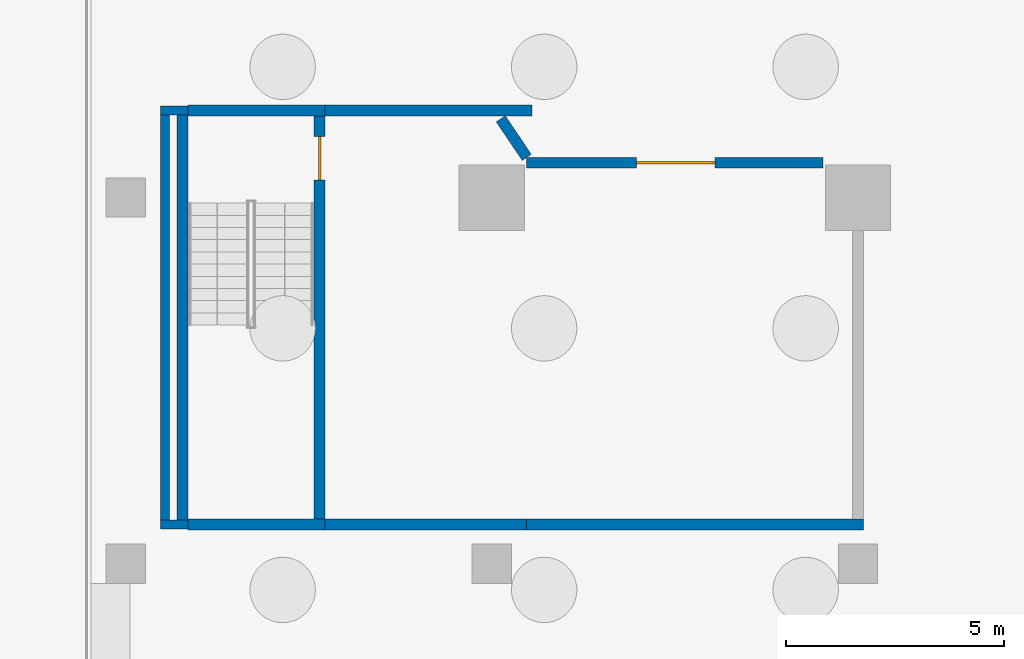
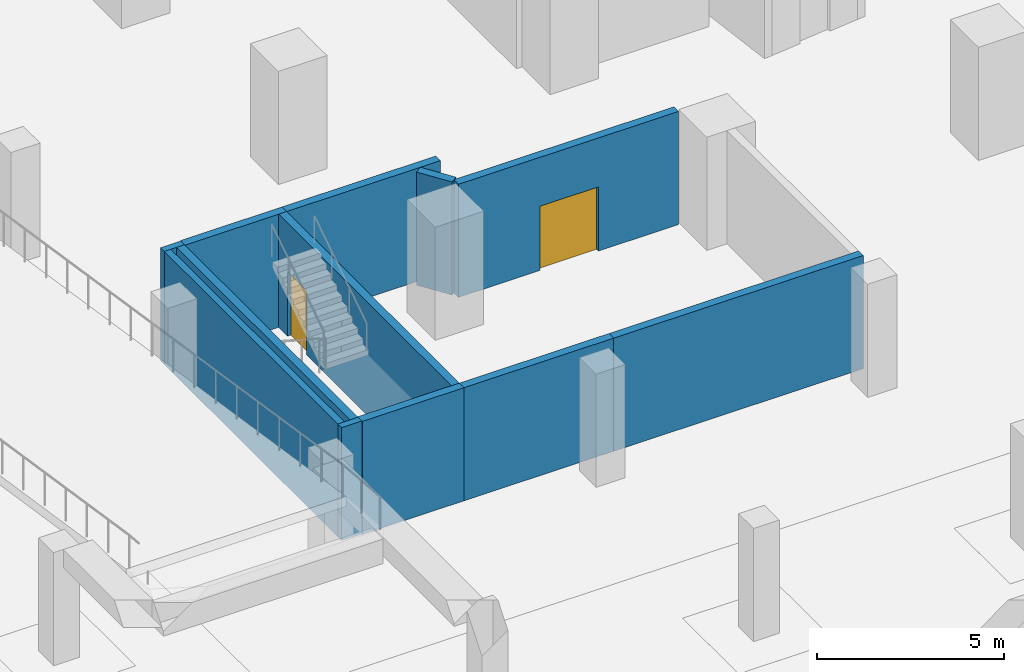
# One storey, part 3 of 20: 12 walls, 2 doors, 2 openings.
"""IFC4 building model written with IfcOpenShell, lengths in metres."""

from ifc_helpers import new_model, si_unit, direction, frame, frame_2d, origin, place, context, subcontext, project, spatial, rectangle, extrude, material, layer, layer_set, type_object, element, fill, save


model = new_model("IFC4")

# Units and contexts
model_context = context("Model", 3, precision=1e-05, world=origin(), true_north=direction((0.0, 1.0)))
body_context = subcontext(model_context, "Body", "Model", "MODEL_VIEW")
ifc_project = project(units=[si_unit("LENGTHUNIT", "METRE"), si_unit("AREAUNIT", "SQUARE_METRE"), si_unit("VOLUMEUNIT", "CUBIC_METRE"), si_unit("PLANEANGLEUNIT", "RADIAN"), si_unit("MASSUNIT", "GRAM", prefix="KILO")], contexts=[model_context])

# Site, building, storey
site_placement = place(None, origin())
site = spatial("IfcSite", under=ifc_project, at=site_placement, CompositionType="ELEMENT")
building_placement = place(site_placement, origin())
building = spatial("IfcBuilding", under=site, at=building_placement, Name="Cantera Rosa Tower", CompositionType="ELEMENT")
storey_placement = place(building_placement, frame((0.0, 0.0, -17.0)))
storey = spatial("IfcBuildingStorey", under=building, at=storey_placement, Name="B4", CompositionType="ELEMENT", Elevation=-17.0)

# Walls
ifc_material_1 = material(Name="Masonry blockwork", Category="masonry")
ifc_layer_1 = layer(ifc_material_1, 0.199951171875)
ifc_layer_set_1 = layer_set([ifc_layer_1], Name="Blockwork partition 200")
wall_type_1 = type_object("IfcWallType", Name="Blockwork partition 200", PredefinedType="PARTITIONING", material=ifc_layer_set_1)
wall_1_placement = place(storey_placement, frame((-32.699951171875, -28.39990234375, 0.0), z_axis=(0.0, 0.0, 1.0), x_axis=(0.0, 1.0, 0.0)))
element("IfcWall", 1, at=wall_1_placement, inside=storey, type_object=wall_type_1, Name="Partition B4-44", PredefinedType="PARTITIONING", context=body_context, shape_type="SweptSolid", body=[
    extrude(rectangle(XDim=9.2998046875, YDim=0.199951171875, at=frame_2d((4.64990234375, 0.0))), origin(), (0.0, 0.0, 1.0), 3.699951171875),
])
for number, where, z_axis, x_axis, name in (
    (2, (-32.800048828125, -19.0, 0.0), (0.0, 0.0, 1.0), (1.0, 0.0, 0.0), "Partition B4-50"),
    (3, (-32.800048828125, -28.5, 0.0), (0.0, 0.0, 1.0), (1.0, 0.0, 0.0), "Partition B4-55"),
):
    element("IfcWall", number, at=place(storey_placement, frame(where, z_axis=z_axis, x_axis=x_axis)), inside=storey, type_object=wall_type_1, Name=name, PredefinedType="PARTITIONING", context=body_context, shape_type="SweptSolid", body=[
        extrude(rectangle(XDim=0.625, YDim=0.199951171875, at=frame_2d((0.3125, 0.0))), origin(), (0.0, 0.0, 1.0), 3.699951171875),
    ])
ifc_material_2 = material(Name="Concrete C50/60", Category="concrete")
ifc_layer_2 = layer(ifc_material_2, 0.25)
ifc_layer_set_2 = layer_set([ifc_layer_2], Name="External stair wall 250")
wall_type_2 = type_object("IfcWallType", Name="External stair wall 250", PredefinedType="SOLIDWALL", material=ifc_layer_set_2)
for number, where, z_axis, x_axis, name in (
    (4, (-32.175048828125, -19.0, 0.0), (0.0, 0.0, 1.0), (1.0, 0.0, 0.0), "Stair wall B4-51"),
    (5, (-29.02490234375, -28.5, 0.0), (0.0, 0.0, 1.0), (-1.0, 0.0, 0.0), "Stair wall B4-56"),
):
    element("IfcWall", number, at=place(storey_placement, frame(where, z_axis=z_axis, x_axis=x_axis)), inside=storey, type_object=wall_type_2, Name=name, PredefinedType="SOLIDWALL", context=body_context, shape_type="SweptSolid", body=[
        extrude(rectangle(XDim=3.150146484375, YDim=0.25, at=frame_2d((1.5751953125, 0.0))), origin(), (0.0, 0.0, 1.0), 3.699951171875),
    ])
ifc_material_3 = material(Name="Masonry blockwork", Category="masonry")
ifc_layer_3 = layer(ifc_material_3, 0.25)
ifc_layer_set_3 = layer_set([ifc_layer_3], Name="Fire-rated external wall 250")
wall_type_3 = type_object("IfcWallType", Name="Fire-rated external wall 250", PredefinedType="PARTITIONING", material=ifc_layer_set_3)
wall_2_placement = place(storey_placement, frame((-29.02490234375, -19.0, 0.0), z_axis=(0.0, 0.0, 1.0), x_axis=(1.0, 0.0, 0.0)))
element("IfcWall", 6, at=wall_2_placement, inside=storey, type_object=wall_type_3, Name="Fire wall B4-52", PredefinedType="PARTITIONING", context=body_context, shape_type="SweptSolid", body=[
    extrude(rectangle(XDim=4.75, YDim=0.25, at=frame_2d((2.375, 0.0))), origin(), (0.0, 0.0, 1.0), 3.699951171875),
])
wall_3_placement = place(storey_placement, frame((-29.02490234375, -28.5, 0.0), z_axis=(0.0, 0.0, 1.0), x_axis=(1.0, 0.0, 0.0)))
element("IfcWall", 7, at=wall_3_placement, inside=storey, type_object=wall_type_3, Name="Fire wall B4-57", PredefinedType="PARTITIONING", context=body_context, shape_type="SweptSolid", body=[
    extrude(rectangle(XDim=4.625, YDim=0.25, at=frame_2d((2.3125, 0.0))), origin(), (0.0, 0.0, 1.0), 3.699951171875),
])
wall_4_placement = place(storey_placement, frame((-24.39990234375, -28.5, 0.0), z_axis=(0.0, 0.0, 1.0), x_axis=(1.0, 0.0, 0.0)))
element("IfcWall", 8, at=wall_4_placement, inside=storey, type_object=wall_type_3, Name="Fire wall B4-58", PredefinedType="PARTITIONING", context=body_context, shape_type="SweptSolid", body=[
    extrude(rectangle(XDim=7.724853515625, YDim=0.25, at=frame_2d((3.8623046875, 0.0))), origin(), (0.0, 0.0, 1.0), 3.699951171875),
])
ifc_material_4 = material(Name="Masonry blockwork", Category="masonry")
ifc_layer_4 = layer(ifc_material_4, 0.25)
ifc_layer_set_4 = layer_set([ifc_layer_4], Name="Fire-rated wall 250")
wall_type_4 = type_object("IfcWallType", Name="Fire-rated wall 250", PredefinedType="PARTITIONING", material=ifc_layer_set_4)
wall_5_placement = place(storey_placement, frame((-24.39990234375, -20.074951171875, 0.0), z_axis=(0.0, 0.0, 1.0), x_axis=(-0.559343029511, 0.828936291483, 0.0)))
element("IfcWall", 9, at=wall_5_placement, inside=storey, type_object=wall_type_4, Name="Fire wall B4-48", PredefinedType="PARTITIONING", context=body_context, shape_type="SweptSolid", body=[
    extrude(rectangle(XDim=1.06591796875, YDim=0.25, at=frame_2d((0.532958984375, 0.0))), origin(), (0.0, 0.0, 1.0), 3.699951171875),
])

# Wall, opening, door
wall_6_placement = place(storey_placement, frame((-24.409912109375, -20.199951171875, 0.0), z_axis=(0.0, 0.0, 1.0), x_axis=(1.0, 0.0, 0.0)))
wall_6 = element("IfcWall", 10, at=wall_6_placement, inside=storey, type_object=wall_type_4, Name="Fire wall B4-62", PredefinedType="PARTITIONING", context=body_context, shape_type="SweptSolid", body=[
    extrude(rectangle(XDim=6.809814453125, YDim=0.25, at=frame_2d((3.40478515625, 0.0))), origin(), (0.0, 0.0, 1.0), 3.699951171875),
])
opening_1_placement = place(wall_6_placement, frame((2.52490234375, 0.0, 0.0)))
opening_1 = element("IfcOpeningElement", 11, at=opening_1_placement, cuts=wall_6, Name="Opening B4-007", PredefinedType="OPENING", context=body_context, shape_type="SweptSolid", body=[
    extrude(rectangle(XDim=1.800048828125, YDim=2.10009765625, at=frame_2d((0.89990234375, 1.050048828125))), frame((0.0, 0.135009765625, 0.0), z_axis=(0.0, -1.0, 0.0), x_axis=(1.0, 0.0, 0.0)), (0.0, 0.0, 1.0), 0.27001953125),
])
ifc_material_5 = material(Name="Steel S355J2 (EN 10025-2)", Category="steel")
door_type_1 = type_object("IfcDoorType", Name="Fire double door 1800x2100", OperationType="NOTDEFINED", PredefinedType="DOOR", material=ifc_material_5)
door_1_placement = place(opening_1_placement, origin())
door_1 = element("IfcDoor", 12, at=door_1_placement, inside=storey, type_object=door_type_1, Name="Door B4-007", OperationType="DOUBLE_DOOR_SINGLE_SWING", OverallHeight=2.10009765625, OverallWidth=1.800048828125, PredefinedType="DOOR", context=body_context, shape_type="SweptSolid", body=[
    extrude(rectangle(XDim=1.800048828125, YDim=2.10009765625, at=frame_2d((0.89990234375, 1.050048828125))), frame((0.0, 0.02490234375, 0.0), z_axis=(0.0, -1.0, 0.0), x_axis=(1.0, 0.0, 0.0)), (0.0, 0.0, 1.0), 0.050048828125),
])
fill(opening_1, door_1)

ifc_material_6 = material(Name="Concrete C50/60", Category="concrete")
ifc_layer_5 = layer(ifc_material_6, 0.25)
ifc_layer_set_5 = layer_set([ifc_layer_5], Name="RC stair wall 250 C50/60")
wall_type_5 = type_object("IfcWallType", Name="RC stair wall 250", PredefinedType="SOLIDWALL", material=ifc_layer_set_5)
wall_7_placement = place(storey_placement, frame((-29.14990234375, -28.375, 0.0), z_axis=(0.0, 0.0, 1.0), x_axis=(0.0, 1.0, 0.0)))
wall_7 = element("IfcWall", 13, at=wall_7_placement, inside=storey, type_object=wall_type_5, Name="Stair wall B4-40", PredefinedType="SOLIDWALL", context=body_context, shape_type="SweptSolid", body=[
    extrude(rectangle(XDim=9.25, YDim=0.25, at=frame_2d((4.625, 0.0))), origin(), (0.0, 0.0, 1.0), 3.699951171875),
])
opening_2_placement = place(wall_7_placement, frame((7.77490234375, 0.0, 0.0)))
opening_2 = element("IfcOpeningElement", 14, at=opening_2_placement, cuts=wall_7, Name="Opening B4-008", PredefinedType="OPENING", context=body_context, shape_type="SweptSolid", body=[
    extrude(rectangle(XDim=1.0, YDim=2.10009765625, at=frame_2d((0.5, 1.050048828125))), frame((0.0, 0.135009765625, 0.0), z_axis=(0.0, -1.0, 0.0), x_axis=(1.0, 0.0, 0.0)), (0.0, 0.0, 1.0), 0.27001953125),
])
ifc_material_7 = material(Name="Steel S355J2 (EN 10025-2)", Category="steel")
door_type_2 = type_object("IfcDoorType", Name="Fire door 1000x2100 EI 120", OperationType="NOTDEFINED", PredefinedType="DOOR", material=ifc_material_7)
door_2_placement = place(opening_2_placement, origin())
door_2 = element("IfcDoor", 15, at=door_2_placement, inside=storey, type_object=door_type_2, Name="Door B4-008", OverallHeight=2.10009765625, OverallWidth=1.0, PredefinedType="DOOR", context=body_context, shape_type="SweptSolid", body=[
    extrude(rectangle(XDim=1.0, YDim=2.10009765625, at=frame_2d((0.5, 1.050048828125))), frame((0.0, 0.02490234375, 0.0), z_axis=(0.0, -1.0, 0.0), x_axis=(1.0, 0.0, 0.0)), (0.0, 0.0, 1.0), 0.050048828125),
])
fill(opening_2, door_2)

# Wall
wall_8_placement = place(storey_placement, frame((-32.300048828125, -28.39990234375, 0.0), z_axis=(0.0, 0.0, 1.0), x_axis=(0.0, 1.0, 0.0)))
element("IfcWall", 16, at=wall_8_placement, inside=storey, type_object=wall_type_5, Name="Stair wall B4-42", PredefinedType="SOLIDWALL", context=body_context, shape_type="SweptSolid", body=[
    extrude(rectangle(XDim=9.2998046875, YDim=0.25, at=frame_2d((4.64990234375, 0.0))), origin(), (0.0, 0.0, 1.0), 3.699951171875),
])

save(model, "model.ifc")
